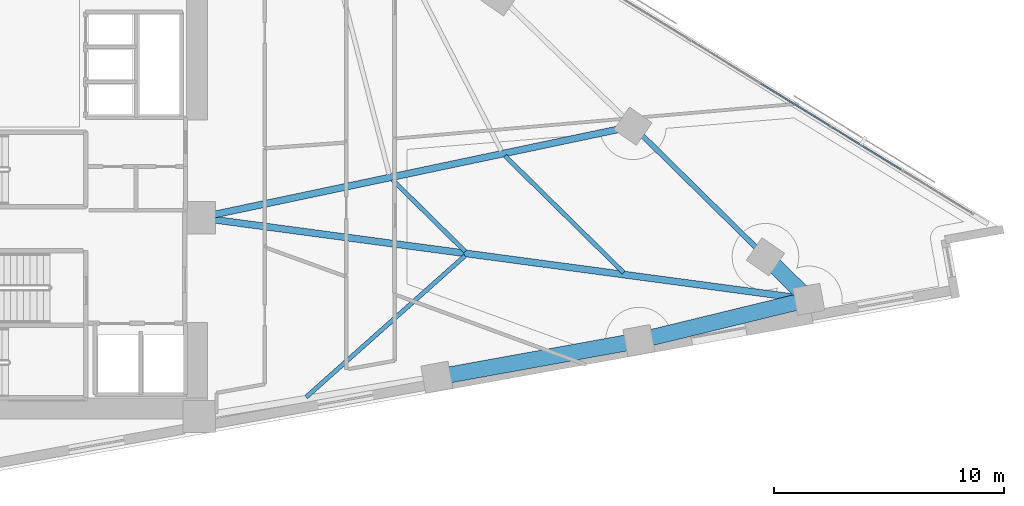
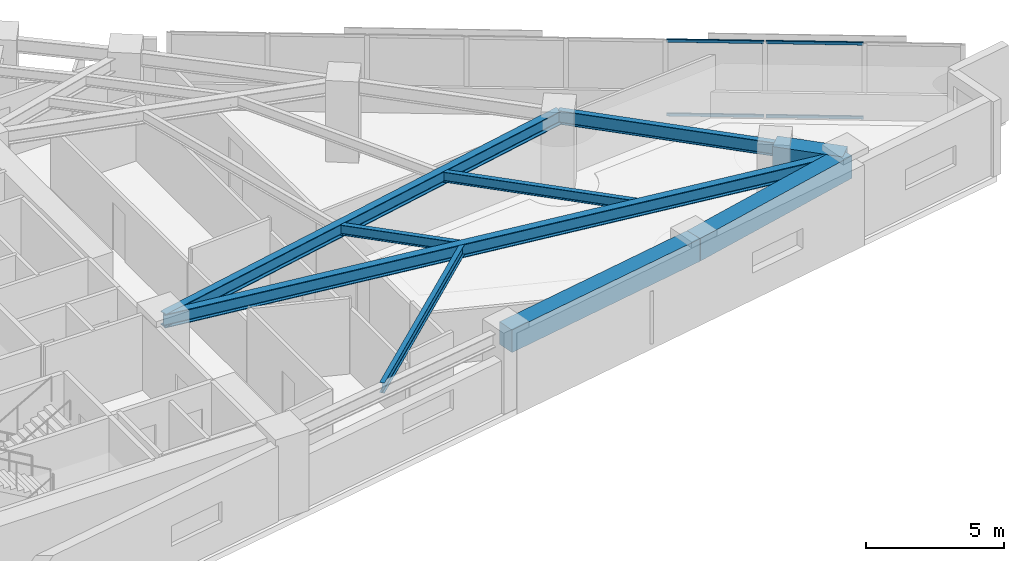
# One storey, part 3 of 18: 9 beams, 4 members, 1 element without a shape of its own.
"""IFC4 building model written with IfcOpenShell, lengths in metres."""

import ifcopenshell
import ifcopenshell.guid

model = None  # the IFC model being written
_history = None  # IfcOwnerHistory: only IFC2X3 demands one
_inside = {}  # id of a spatial element -> (the spatial element, [elements in it])
_under = {}  # id of a project, library or spatial element -> (it, [spatial elements below it])
_declared = {}  # id of a project -> (the project, [libraries it declares])
_typed = {}  # id of a type object -> (the type object, [elements of that type])
_made_of = {}  # id of a material, layer set ... -> (it, [elements and type objects made of it])


def new_model(schema):
    """Start an empty IFC model of exactly this schema.

    Asked for "IFC4X3", IfcOpenShell would pick the latest addendum, in which some entities
    have other attributes; the version numbers below select the first issue.
    IFC2X3 requires an IfcOwnerHistory on every rooted entity: one is made here for all.
    """
    global model, _history
    if schema == "IFC4X3":
        model = ifcopenshell.file(schema_version=(4, 3, 0, 0))
    else:
        model = ifcopenshell.file(schema=schema)
    _inside.clear()
    _under.clear()
    _declared.clear()
    _typed.clear()
    _made_of.clear()
    _history = None
    if model.schema == "IFC2X3":
        org = make("IfcOrganization", Name="unknown")
        user = make(
            "IfcPersonAndOrganization",
            ThePerson=make("IfcPerson", FamilyName="unknown"),
            TheOrganization=org,
        )
        app = make(
            "IfcApplication",
            ApplicationDeveloper=org,
            Version="unknown",
            ApplicationFullName="unknown",
            ApplicationIdentifier="unknown",
        )
        _history = make(
            "IfcOwnerHistory",
            OwningUser=user,
            OwningApplication=app,
            ChangeAction="ADDED",
            CreationDate=0,
        )
    return model


def make(cls, **values):
    """One entity of the class cls with the attributes given. An attribute that is None is left unset."""
    return model.create_entity(
        cls, **{name: value for name, value in values.items() if value is not None}
    )


def rooted(cls, **values):
    """An entity with a GlobalId (a new one), such as an element, a storey or a relation."""
    return make(cls, GlobalId=ifcopenshell.guid.new(), OwnerHistory=_history, **values)


def si_unit(unit_type, name, prefix=None):
    """IfcSIUnit, for example si_unit("LENGTHUNIT", "METRE", prefix="MILLI")."""
    return make("IfcSIUnit", UnitType=unit_type, Prefix=prefix, Name=name)


def assignment(units):
    """IfcUnitAssignment: the units of a project."""
    return None if units is None else make("IfcUnitAssignment", Units=units)


def point(xyz):
    """IfcCartesianPoint."""
    return None if xyz is None else make("IfcCartesianPoint", Coordinates=xyz)


def direction(xyz):
    """IfcDirection."""
    return None if xyz is None else make("IfcDirection", DirectionRatios=xyz)


def frame(location, z_axis=None, x_axis=None):
    """IfcAxis2Placement3D, a coordinate frame: its origin and axes. An axis left out is left unset."""
    return make(
        "IfcAxis2Placement3D",
        Location=point(location),
        Axis=direction(z_axis),
        RefDirection=direction(x_axis),
    )


def frame_2d(location, x_axis=None):
    """IfcAxis2Placement2D, a coordinate frame in the plane: its origin and x axis."""
    return make(
        "IfcAxis2Placement2D", Location=point(location), RefDirection=direction(x_axis)
    )


def origin():
    """The frame at (0, 0, 0) with its axes left unset."""
    return frame((0.0, 0.0, 0.0))


def origin_2d():
    """The frame at (0, 0) in the plane with its x axis left unset."""
    return frame_2d((0.0, 0.0))


def place(relative_to, where):
    """IfcLocalPlacement: puts the frame where relative to a parent placement (None: the world)."""
    return make(
        "IfcLocalPlacement", PlacementRelTo=relative_to, RelativePlacement=where
    )


def context(
    kind, dimensions, precision=None, world=None, true_north=None, identifier=None
):
    """IfcGeometricRepresentationContext, for example the 3D "Model" context."""
    return make(
        "IfcGeometricRepresentationContext",
        ContextIdentifier=identifier,
        ContextType=kind,
        CoordinateSpaceDimension=dimensions,
        Precision=precision,
        WorldCoordinateSystem=world,
        TrueNorth=true_north,
    )


def subcontext(parent, identifier, kind, view, scale=None):
    """IfcGeometricRepresentationSubContext, for example "Body" below "Model"."""
    return make(
        "IfcGeometricRepresentationSubContext",
        ContextIdentifier=identifier,
        ContextType=kind,
        ParentContext=parent,
        TargetScale=scale,
        TargetView=view,
    )


def project(units=None, contexts=None):
    """IfcProject with its units and contexts."""
    return rooted(
        "IfcProject",
        Name="project",
        RepresentationContexts=contexts,
        UnitsInContext=assignment(units),
    )


def spatial(cls, under=None, at=None, **own):
    """A site, building, storey or space (cls), placed at a placement, below another one or the project."""
    s = rooted(cls, ObjectPlacement=at, **own)
    if under is not None:
        _under.setdefault(under.id(), (under, []))[1].append(s)
    return s


def profile(cls, at=None, kind="AREA", **sizes):
    """A parametric profile (cls). Its sizes go by their IFC names, for example OverallWidth=200.0."""
    return make(cls, ProfileType=kind, Position=at, **sizes)


def rectangle(**sizes):
    """IfcRectangleProfileDef."""
    return profile("IfcRectangleProfileDef", **sizes)


def hollow_rectangle(**sizes):
    """IfcRectangleHollowProfileDef."""
    return profile("IfcRectangleHollowProfileDef", **sizes)


def i_section(**sizes):
    """IfcIShapeProfileDef."""
    return profile("IfcIShapeProfileDef", **sizes)


def extrude(swept, where, along, depth):
    """IfcExtrudedAreaSolid: the profile swept, set in the frame where, extruded along a direction by depth."""
    return make(
        "IfcExtrudedAreaSolid",
        SweptArea=swept,
        Position=where,
        ExtrudedDirection=direction(along),
        Depth=depth,
    )


def shape(context_of_items, identifier, shape_type, items):
    """IfcShapeRepresentation: the items that make up one representation, for example the "Body"."""
    return make(
        "IfcShapeRepresentation",
        ContextOfItems=context_of_items,
        RepresentationIdentifier=identifier,
        RepresentationType=shape_type,
        Items=items,
    )


def material(Name=None, Category=None):
    """IfcMaterial."""
    return make("IfcMaterial", Name=Name, Category=Category)


def material_profile(
    of_material, cross_section, Name=None, Category=None, Priority=None
):
    """IfcMaterialProfile: a cross section and its material."""
    return make(
        "IfcMaterialProfile",
        Name=Name,
        Material=of_material,
        Profile=cross_section,
        Priority=Priority,
        Category=Category,
    )


def profile_set(profiles, Name=None, composite=None):
    """IfcMaterialProfileSet."""
    return make(
        "IfcMaterialProfileSet",
        Name=Name,
        MaterialProfiles=profiles,
        CompositeProfile=composite,
    )


def made_of(thing, what):
    """Note that an element or type object is made of a material, layer set ...; save() writes the relation."""
    if what is not None:
        _made_of.setdefault(what.id(), (what, []))[1].append(thing)
    return thing


def type_object(cls, material=None, **own):
    """A type object (cls), such as IfcWallType, which elements share."""
    return made_of(rooted(cls, **own), material)


def element(
    cls,
    number,
    at=None,
    inside=None,
    cuts=None,
    type_object=None,
    material=None,
    context=None,
    identifier="Body",
    shape_type=None,
    held_by="IfcProductDefinitionShape",
    body=None,
    shapes=None,
    **own,
):
    """One element of the class cls, such as IfcWall. Its Tag is "e" and its number.

    at: its placement. inside: the storey or other place that contains it. cuts: it is an
    opening in that element (IfcRelVoidsElement). A single representation is given by context,
    identifier, shape_type and body (its items); several are given by shapes. held_by: the class
    of the entity that holds the representations. save() writes the other relations.
    """
    e = rooted(cls, Tag="e%d" % number, ObjectPlacement=at, **own)
    if body is not None:
        shapes = [shape(context, identifier, shape_type, body)]
    if shapes is not None:
        e.Representation = make(held_by, Representations=shapes)
    if inside is not None:
        _inside.setdefault(inside.id(), (inside, []))[1].append(e)
    if cuts is not None:
        rooted(
            "IfcRelVoidsElement", RelatingBuildingElement=cuts, RelatedOpeningElement=e
        )
    if type_object is not None:
        _typed.setdefault(type_object.id(), (type_object, []))[1].append(e)
    return made_of(e, material)


def aggregate(whole, parts):
    """IfcRelAggregates: a whole, such as a stair, and the parts it consists of."""
    return rooted("IfcRelAggregates", RelatingObject=whole, RelatedObjects=parts)


def save(model, path):
    """Write the relations noted so far, then the file.

    IfcRelAggregates (storeys below a building ...), IfcRelContainedInSpatialStructure (elements
    in a storey), IfcRelDefinesByType, IfcRelAssociatesMaterial and IfcRelDeclares: one each for
    every whole, place, type object, material and project.
    """
    for whole, parts in _under.values():
        aggregate(whole, parts)
    for where, things in _inside.values():
        rooted(
            "IfcRelContainedInSpatialStructure",
            RelatedElements=things,
            RelatingStructure=where,
        )
    for kind, things in _typed.values():
        rooted("IfcRelDefinesByType", RelatedObjects=things, RelatingType=kind)
    for what, things in _made_of.values():
        rooted("IfcRelAssociatesMaterial", RelatedObjects=things, RelatingMaterial=what)
    for by, libraries in _declared.values():
        rooted("IfcRelDeclares", RelatingContext=by, RelatedDefinitions=libraries)
    model.write(path)


model = new_model("IFC4")

# Units and contexts
model_context = context("Model", 3, precision=1e-05, world=origin(), true_north=direction((0.0, 1.0)))
body_context = subcontext(model_context, "Body", "Model", "MODEL_VIEW")
ifc_project = project(units=[si_unit("LENGTHUNIT", "METRE"), si_unit("AREAUNIT", "SQUARE_METRE"), si_unit("VOLUMEUNIT", "CUBIC_METRE"), si_unit("PLANEANGLEUNIT", "RADIAN"), si_unit("MASSUNIT", "GRAM", prefix="KILO")], contexts=[model_context])

# Site, building, storey
site_placement = place(None, origin())
site = spatial("IfcSite", under=ifc_project, at=site_placement, CompositionType="ELEMENT")
building_placement = place(site_placement, origin())
building = spatial("IfcBuilding", under=site, at=building_placement, Name="Narakoshi Arena Tower", CompositionType="ELEMENT")
storey_placement = place(building_placement, frame((0.0, 0.0, 120.89990234375)))
storey = spatial("IfcBuildingStorey", under=building, at=storey_placement, Name="L32", CompositionType="ELEMENT", Elevation=120.89990234375)

# Beams
ifc_material_1 = material(Name="Concrete C60/75", Category="concrete")
ifc_material_profile_1 = material_profile(ifc_material_1, rectangle(XDim=0.699951171875, YDim=1.0, at=origin_2d()), Name="RCB700x1000")
ifc_profile_set_1 = profile_set([ifc_material_profile_1], Name="Concrete C60/75")
beam_type_1 = type_object("IfcBeamType", Name="BM-CPL-1000", PredefinedType="BEAM", material=ifc_profile_set_1)
beam_1_placement = place(storey_placement, frame((95.89013671875, 36.411865234375, 2.840087890625), z_axis=(0.984043032412, 0.177930633565, 0.0), x_axis=(-0.177930633565, 0.984043032412, 0.0)))
element("IfcBeam", 1, at=beam_1_placement, inside=storey, type_object=beam_type_1, Name="L32 Perimeter Edge Girder 01", PredefinedType="BEAM", context=body_context, shape_type="SweptSolid", body=[
    extrude(rectangle(XDim=0.699951171875, YDim=1.0, at=origin_2d()), origin(), (0.0, 0.0, 1.0), 8.933837890625),
])
beam_2_placement = place(storey_placement, frame((104.681396484375, 38.00146484375, 2.840087890625), z_axis=(0.971695296423, 0.236237700019, 0.0), x_axis=(-0.236237700019, 0.971695296423, 0.0)))
element("IfcBeam", 2, at=beam_2_placement, inside=storey, type_object=beam_type_1, Name="L32 Perimeter Edge Girder 02", PredefinedType="BEAM", context=body_context, shape_type="SweptSolid", body=[
    extrude(rectangle(XDim=0.699951171875, YDim=1.0, at=origin_2d()), origin(), (0.0, 0.0, 1.0), 7.604248046875),
])
beam_3_placement = place(storey_placement, frame((112.0703125, 39.7978515625, 2.840087890625), z_axis=(-0.712541924106, 0.70162953643, 0.0), x_axis=(-0.70162953643, -0.712541924106, 0.0)))
element("IfcBeam", 3, at=beam_3_placement, inside=storey, type_object=beam_type_1, Name="L32 Perimeter Edge Girder 03", PredefinedType="BEAM", context=body_context, shape_type="SweptSolid", body=[
    extrude(rectangle(XDim=0.699951171875, YDim=1.0, at=origin_2d()), origin(), (0.0, 0.0, 1.0), 2.639892578125),
])
ifc_material_2 = material(Name="Structural steel S355J2", Category="steel")
ifc_material_profile_2 = material_profile(ifc_material_2, i_section(OverallWidth=0.219970703125, OverallDepth=0.60009765625, WebThickness=0.011962890625, FlangeThickness=0.01904296875, FilletRadius=0.02392578125, at=origin_2d()), Name="IPE600")
ifc_profile_set_2 = profile_set([ifc_material_profile_2], Name="Structural steel S355J2")
beam_type_2 = type_object("IfcBeamType", Name="BM-EDGE-600", PredefinedType="BEAM", material=ifc_profile_set_2)
beam_4_placement = place(storey_placement, frame((110.189208984375, 41.650146484375, 3.0400390625), z_axis=(-0.712543857268, 0.701627573196, 0.0), x_axis=(-0.701627573196, -0.712543857268, 0.0)))
element("IfcBeam", 4, at=beam_4_placement, inside=storey, type_object=beam_type_2, Name="L32 Perimeter Edge Girder 04", PredefinedType="BEAM", context=body_context, shape_type="SweptSolid", body=[
    extrude(i_section(OverallWidth=0.219970703125, OverallDepth=0.60009765625, WebThickness=0.011962890625, FlangeThickness=0.01904296875, FilletRadius=0.02392578125, at=origin_2d()), origin(), (0.0, 0.0, 1.0), 8.095947265625),
])
ifc_material_profile_3 = material_profile(ifc_material_2, i_section(OverallWidth=0.300048828125, OverallDepth=0.60009765625, WebThickness=0.015380859375, FlangeThickness=0.030029296875, FilletRadius=0.027099609375, at=origin_2d()), Name="HE600B")
ifc_profile_set_3 = profile_set([ifc_material_profile_3], Name="Structural steel S355J2")
beam_type_3 = type_object("IfcBeamType", Name="BM-PRI-600", PredefinedType="BEAM", material=ifc_profile_set_3)
beam_5_placement = place(storey_placement, frame((85.550048828125, 43.35009765625, 3.0400390625), z_axis=(0.991148352242, -0.132758968996, 0.0), x_axis=(0.132758968996, 0.991148352242, 0.0)))
element("IfcBeam", 5, at=beam_5_placement, inside=storey, type_object=beam_type_3, Name="L32 Radial Primary Floor Girder 03", PredefinedType="BEAM", context=body_context, shape_type="SweptSolid", body=[
    extrude(i_section(OverallWidth=0.300048828125, OverallDepth=0.60009765625, WebThickness=0.015380859375, FlangeThickness=0.030029296875, FilletRadius=0.027099609375, at=origin_2d()), origin(), (0.0, 0.0, 1.0), 26.757080078125),
])
beam_6_placement = place(storey_placement, frame((85.550048828125, 43.35009765625, 3.0400390625), z_axis=(0.978468582694, 0.206395815562, 0.0), x_axis=(-0.206395815562, 0.978468582694, 0.0)))
element("IfcBeam", 6, at=beam_6_placement, inside=storey, type_object=beam_type_3, Name="L32 Radial Primary Floor Girder 05", PredefinedType="BEAM", context=body_context, shape_type="SweptSolid", body=[
    extrude(i_section(OverallWidth=0.300048828125, OverallDepth=0.60009765625, WebThickness=0.015380859375, FlangeThickness=0.030029296875, FilletRadius=0.027099609375, at=origin_2d()), origin(), (0.0, 0.0, 1.0), 19.28564453125),
])
ifc_material_profile_4 = material_profile(ifc_material_2, i_section(OverallWidth=0.18994140625, OverallDepth=0.449951171875, WebThickness=0.009521484375, FlangeThickness=0.0146484375, FilletRadius=0.02099609375, at=origin_2d()), Name="IPE450")
ifc_profile_set_4 = profile_set([ifc_material_profile_4], Name="Structural steel S355J2")
beam_type_4 = type_object("IfcBeamType", Name="BM-SEC-450", PredefinedType="JOIST", material=ifc_profile_set_4)
beam_7_placement = place(storey_placement, frame((90.200439453125, 35.54296875, 3.114990234375), z_axis=(0.747129936422, 0.664678010846, 0.0), x_axis=(-0.664678010846, 0.747129936422, 0.0)))
element("IfcBeam", 7, at=beam_7_placement, inside=storey, type_object=beam_type_4, Name="L32 Composite Secondary Floor Joist 01", PredefinedType="JOIST", context=body_context, shape_type="SweptSolid", body=[
    extrude(i_section(OverallWidth=0.18994140625, OverallDepth=0.449951171875, WebThickness=0.009521484375, FlangeThickness=0.0146484375, FilletRadius=0.02099609375, at=origin_2d()), origin(), (0.0, 0.0, 1.0), 9.259033203125),
])
beam_8_placement = place(storey_placement, frame((97.122802734375, 41.8818359375, 3.114990234375), z_axis=(-0.712567241067, 0.701603824788, 0.0), x_axis=(-0.701603824788, -0.712567241067, 0.0)))
element("IfcBeam", 8, at=beam_8_placement, inside=storey, type_object=beam_type_4, Name="L32 Composite Secondary Floor Joist 02", PredefinedType="JOIST", context=body_context, shape_type="SweptSolid", body=[
    extrude(i_section(OverallWidth=0.18994140625, OverallDepth=0.449951171875, WebThickness=0.009521484375, FlangeThickness=0.0146484375, FilletRadius=0.02099609375, at=origin_2d()), origin(), (0.0, 0.0, 1.0), 4.45361328125),
])
beam_9_placement = place(storey_placement, frame((104.01806640625, 40.958251953125, 3.114990234375), z_axis=(-0.712561376684, 0.70160978076, 0.0), x_axis=(-0.70160978076, -0.712561376684, 0.0)))
element("IfcBeam", 9, at=beam_9_placement, inside=storey, type_object=beam_type_4, Name="L32 Composite Secondary Floor Joist 03", PredefinedType="JOIST", context=body_context, shape_type="SweptSolid", body=[
    extrude(i_section(OverallWidth=0.18994140625, OverallDepth=0.449951171875, WebThickness=0.009521484375, FlangeThickness=0.0146484375, FilletRadius=0.02099609375, at=origin_2d()), origin(), (0.0, 0.0, 1.0), 7.2451171875),
])

# Curtain wall, members
ifc_material_3 = material(Name="Anodised bronze aluminium 6063-T6", Category="aluminium")
curtain_wall_type = type_object("IfcCurtainWallType", Name="CW-HYP-LOW", PredefinedType="NOTDEFINED", material=ifc_material_3)
curtain_wall_placement = place(storey_placement, origin())
curtain_wall = element("IfcCurtainWall", 10, at=curtain_wall_placement, inside=storey, type_object=curtain_wall_type, Name="L32 Folded Hypotenuse Curtain Wall 1-1", PredefinedType="NOTDEFINED")
ifc_material_profile_5 = material_profile(ifc_material_3, hollow_rectangle(XDim=0.06494140625, YDim=0.1298828125, WallThickness=0.00390625, OuterFilletRadius=0.0048828125, at=origin_2d()), Name="TRN130x65x4")
ifc_profile_set_5 = profile_set([ifc_material_profile_5], Name="Anodised bronze aluminium 6063-T6")
member_type = type_object("IfcMemberType", Name="MEM-TRN-130", PredefinedType="USERDEFINED", material=ifc_profile_set_5)
member_1_placement = place(storey_placement, frame((116.085693359375, 45.4384765625, 0.03271484375), z_axis=(-0.852103699909, 0.523372988032, 0.0), x_axis=(-0.523372988032, -0.852103699909, 0.0)))
member_1 = element("IfcMember", 11, at=member_1_placement, type_object=member_type, Name="CW-01 transom 2.1", ObjectType="TRANSOM", PredefinedType="USERDEFINED", context=body_context, shape_type="SweptSolid", body=[
    extrude(hollow_rectangle(XDim=0.06494140625, YDim=0.1298828125, WallThickness=0.00390625, OuterFilletRadius=0.0048828125, at=origin_2d()), origin(), (0.0, 0.0, 1.0), 3.535888671875),
])
member_2_placement = place(storey_placement, frame((116.085693359375, 45.4384765625, 3.3076171875), z_axis=(-0.852103699909, 0.523372988032, 0.0), x_axis=(-0.523372988032, -0.852103699909, 0.0)))
member_2 = element("IfcMember", 12, at=member_2_placement, type_object=member_type, Name="CW-01 transom 2.2", ObjectType="TRANSOM", PredefinedType="USERDEFINED", context=body_context, shape_type="SweptSolid", body=[
    extrude(hollow_rectangle(XDim=0.06494140625, YDim=0.1298828125, WallThickness=0.00390625, OuterFilletRadius=0.0048828125, at=origin_2d()), origin(), (0.0, 0.0, 1.0), 3.535888671875),
])
member_3_placement = place(storey_placement, frame((113.0087890625, 47.328125, 0.03271484375), z_axis=(-0.852103699909, 0.523372988032, 0.0), x_axis=(-0.523372988032, -0.852103699909, 0.0)))
member_3 = element("IfcMember", 13, at=member_3_placement, type_object=member_type, Name="CW-01 transom 3.1", ObjectType="TRANSOM", PredefinedType="USERDEFINED", context=body_context, shape_type="SweptSolid", body=[
    extrude(hollow_rectangle(XDim=0.06494140625, YDim=0.1298828125, WallThickness=0.00390625, OuterFilletRadius=0.0048828125, at=origin_2d()), origin(), (0.0, 0.0, 1.0), 3.535888671875),
])
member_4_placement = place(storey_placement, frame((113.0087890625, 47.328125, 3.3076171875), z_axis=(-0.852103699909, 0.523372988032, 0.0), x_axis=(-0.523372988032, -0.852103699909, 0.0)))
member_4 = element("IfcMember", 14, at=member_4_placement, type_object=member_type, Name="CW-01 transom 3.2", ObjectType="TRANSOM", PredefinedType="USERDEFINED", context=body_context, shape_type="SweptSolid", body=[
    extrude(hollow_rectangle(XDim=0.06494140625, YDim=0.1298828125, WallThickness=0.00390625, OuterFilletRadius=0.0048828125, at=origin_2d()), origin(), (0.0, 0.0, 1.0), 3.535888671875),
])
aggregate(curtain_wall, [member_1, member_2, member_3, member_4])

save(model, "model.ifc")
